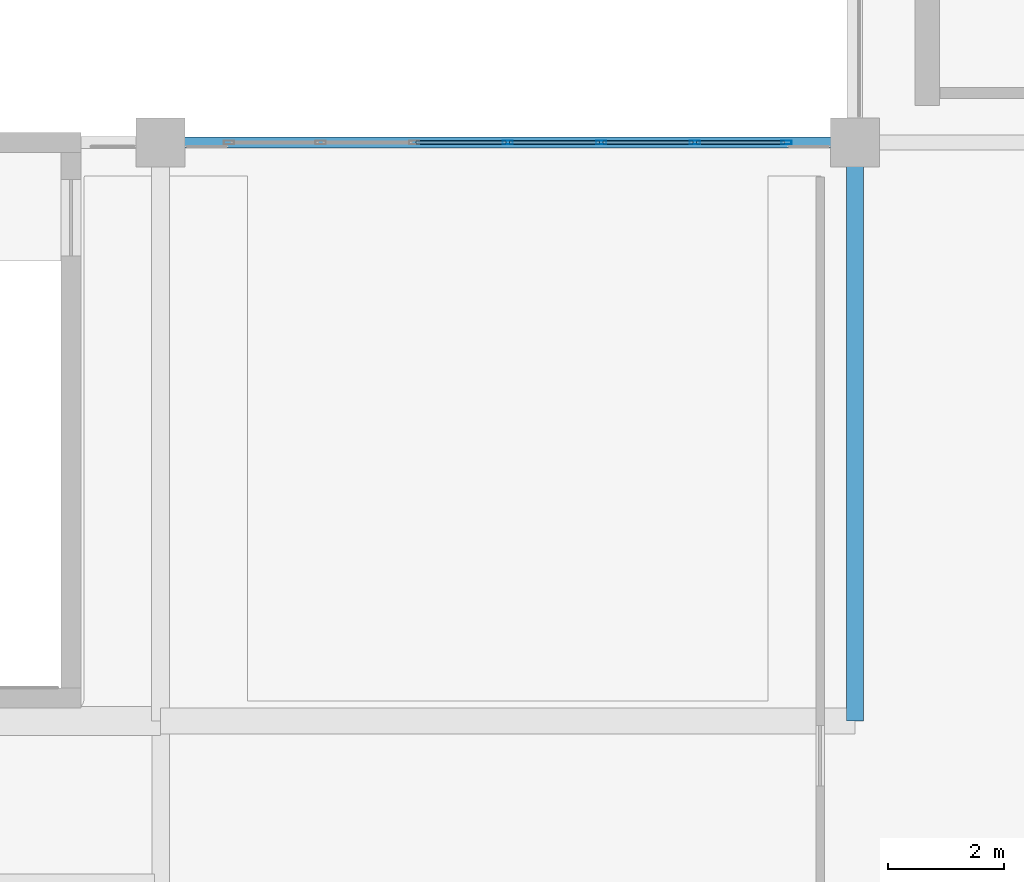
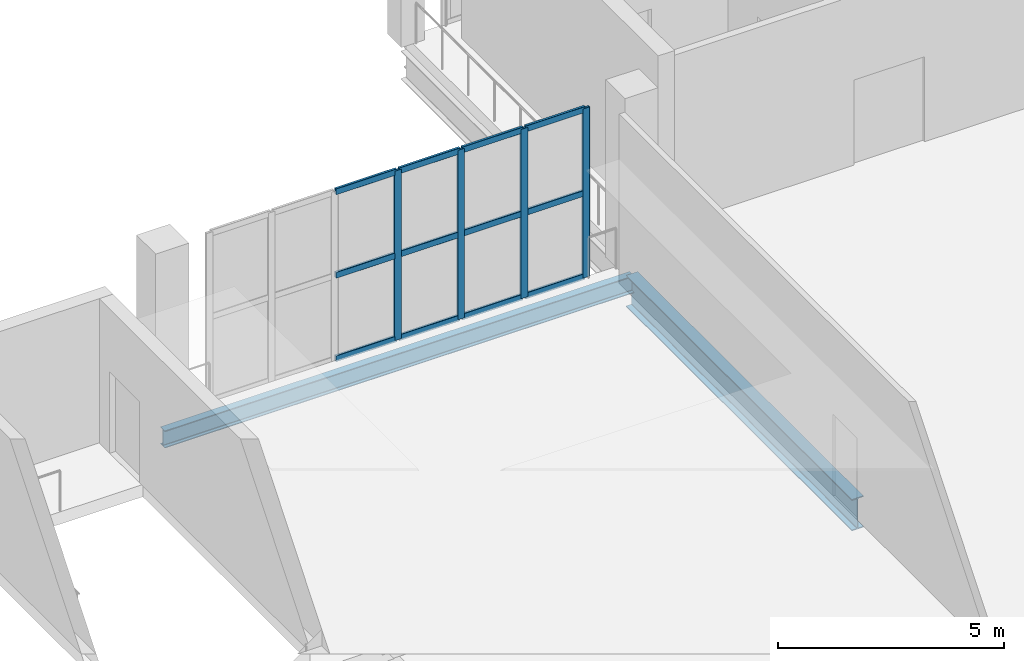
# One storey, part 27 of 49: 16 members, 2 beams, 1 element without a shape of its own.
"""IFC4 building model written with IfcOpenShell, lengths in metres."""

import ifcopenshell
import ifcopenshell.guid

model = None  # the IFC model being written
_history = None  # IfcOwnerHistory: only IFC2X3 demands one
_inside = {}  # id of a spatial element -> (the spatial element, [elements in it])
_under = {}  # id of a project, library or spatial element -> (it, [spatial elements below it])
_declared = {}  # id of a project -> (the project, [libraries it declares])
_typed = {}  # id of a type object -> (the type object, [elements of that type])
_made_of = {}  # id of a material, layer set ... -> (it, [elements and type objects made of it])


def new_model(schema):
    """Start an empty IFC model of exactly this schema.

    Asked for "IFC4X3", IfcOpenShell would pick the latest addendum, in which some entities
    have other attributes; the version numbers below select the first issue.
    IFC2X3 requires an IfcOwnerHistory on every rooted entity: one is made here for all.
    """
    global model, _history
    if schema == "IFC4X3":
        model = ifcopenshell.file(schema_version=(4, 3, 0, 0))
    else:
        model = ifcopenshell.file(schema=schema)
    _inside.clear()
    _under.clear()
    _declared.clear()
    _typed.clear()
    _made_of.clear()
    _history = None
    if model.schema == "IFC2X3":
        org = make("IfcOrganization", Name="unknown")
        user = make(
            "IfcPersonAndOrganization",
            ThePerson=make("IfcPerson", FamilyName="unknown"),
            TheOrganization=org,
        )
        app = make(
            "IfcApplication",
            ApplicationDeveloper=org,
            Version="unknown",
            ApplicationFullName="unknown",
            ApplicationIdentifier="unknown",
        )
        _history = make(
            "IfcOwnerHistory",
            OwningUser=user,
            OwningApplication=app,
            ChangeAction="ADDED",
            CreationDate=0,
        )
    return model


def make(cls, **values):
    """One entity of the class cls with the attributes given. An attribute that is None is left unset."""
    return model.create_entity(
        cls, **{name: value for name, value in values.items() if value is not None}
    )


def rooted(cls, **values):
    """An entity with a GlobalId (a new one), such as an element, a storey or a relation."""
    return make(cls, GlobalId=ifcopenshell.guid.new(), OwnerHistory=_history, **values)


def si_unit(unit_type, name, prefix=None):
    """IfcSIUnit, for example si_unit("LENGTHUNIT", "METRE", prefix="MILLI")."""
    return make("IfcSIUnit", UnitType=unit_type, Prefix=prefix, Name=name)


def assignment(units):
    """IfcUnitAssignment: the units of a project."""
    return None if units is None else make("IfcUnitAssignment", Units=units)


def point(xyz):
    """IfcCartesianPoint."""
    return None if xyz is None else make("IfcCartesianPoint", Coordinates=xyz)


def direction(xyz):
    """IfcDirection."""
    return None if xyz is None else make("IfcDirection", DirectionRatios=xyz)


def frame(location, z_axis=None, x_axis=None):
    """IfcAxis2Placement3D, a coordinate frame: its origin and axes. An axis left out is left unset."""
    return make(
        "IfcAxis2Placement3D",
        Location=point(location),
        Axis=direction(z_axis),
        RefDirection=direction(x_axis),
    )


def frame_2d(location, x_axis=None):
    """IfcAxis2Placement2D, a coordinate frame in the plane: its origin and x axis."""
    return make(
        "IfcAxis2Placement2D", Location=point(location), RefDirection=direction(x_axis)
    )


def origin():
    """The frame at (0, 0, 0) with its axes left unset."""
    return frame((0.0, 0.0, 0.0))


def origin_2d():
    """The frame at (0, 0) in the plane with its x axis left unset."""
    return frame_2d((0.0, 0.0))


def place(relative_to, where):
    """IfcLocalPlacement: puts the frame where relative to a parent placement (None: the world)."""
    return make(
        "IfcLocalPlacement", PlacementRelTo=relative_to, RelativePlacement=where
    )


def context(
    kind, dimensions, precision=None, world=None, true_north=None, identifier=None
):
    """IfcGeometricRepresentationContext, for example the 3D "Model" context."""
    return make(
        "IfcGeometricRepresentationContext",
        ContextIdentifier=identifier,
        ContextType=kind,
        CoordinateSpaceDimension=dimensions,
        Precision=precision,
        WorldCoordinateSystem=world,
        TrueNorth=true_north,
    )


def subcontext(parent, identifier, kind, view, scale=None):
    """IfcGeometricRepresentationSubContext, for example "Body" below "Model"."""
    return make(
        "IfcGeometricRepresentationSubContext",
        ContextIdentifier=identifier,
        ContextType=kind,
        ParentContext=parent,
        TargetScale=scale,
        TargetView=view,
    )


def project(units=None, contexts=None):
    """IfcProject with its units and contexts."""
    return rooted(
        "IfcProject",
        Name="project",
        RepresentationContexts=contexts,
        UnitsInContext=assignment(units),
    )


def spatial(cls, under=None, at=None, **own):
    """A site, building, storey or space (cls), placed at a placement, below another one or the project."""
    s = rooted(cls, ObjectPlacement=at, **own)
    if under is not None:
        _under.setdefault(under.id(), (under, []))[1].append(s)
    return s


def profile(cls, at=None, kind="AREA", **sizes):
    """A parametric profile (cls). Its sizes go by their IFC names, for example OverallWidth=200.0."""
    return make(cls, ProfileType=kind, Position=at, **sizes)


def hollow_rectangle(**sizes):
    """IfcRectangleHollowProfileDef."""
    return profile("IfcRectangleHollowProfileDef", **sizes)


def i_section(**sizes):
    """IfcIShapeProfileDef."""
    return profile("IfcIShapeProfileDef", **sizes)


def extrude(swept, where, along, depth):
    """IfcExtrudedAreaSolid: the profile swept, set in the frame where, extruded along a direction by depth."""
    return make(
        "IfcExtrudedAreaSolid",
        SweptArea=swept,
        Position=where,
        ExtrudedDirection=direction(along),
        Depth=depth,
    )


def shape(context_of_items, identifier, shape_type, items):
    """IfcShapeRepresentation: the items that make up one representation, for example the "Body"."""
    return make(
        "IfcShapeRepresentation",
        ContextOfItems=context_of_items,
        RepresentationIdentifier=identifier,
        RepresentationType=shape_type,
        Items=items,
    )


def material(Name=None, Category=None):
    """IfcMaterial."""
    return make("IfcMaterial", Name=Name, Category=Category)


def layer(
    of_material, thickness, ventilated=None, Name=None, Category=None, Priority=None
):
    """IfcMaterialLayer: one layer of a wall or slab, of a material (None: an air gap)."""
    return make(
        "IfcMaterialLayer",
        Material=of_material,
        LayerThickness=thickness,
        IsVentilated=ventilated,
        Name=Name,
        Category=Category,
        Priority=Priority,
    )


def layer_set(layers, Name=None):
    """IfcMaterialLayerSet."""
    return make("IfcMaterialLayerSet", MaterialLayers=layers, LayerSetName=Name)


def material_profile(
    of_material, cross_section, Name=None, Category=None, Priority=None
):
    """IfcMaterialProfile: a cross section and its material."""
    return make(
        "IfcMaterialProfile",
        Name=Name,
        Material=of_material,
        Profile=cross_section,
        Priority=Priority,
        Category=Category,
    )


def profile_set(profiles, Name=None, composite=None):
    """IfcMaterialProfileSet."""
    return make(
        "IfcMaterialProfileSet",
        Name=Name,
        MaterialProfiles=profiles,
        CompositeProfile=composite,
    )


def made_of(thing, what):
    """Note that an element or type object is made of a material, layer set ...; save() writes the relation."""
    if what is not None:
        _made_of.setdefault(what.id(), (what, []))[1].append(thing)
    return thing


def type_object(cls, material=None, **own):
    """A type object (cls), such as IfcWallType, which elements share."""
    return made_of(rooted(cls, **own), material)


def element(
    cls,
    number,
    at=None,
    inside=None,
    cuts=None,
    type_object=None,
    material=None,
    context=None,
    identifier="Body",
    shape_type=None,
    held_by="IfcProductDefinitionShape",
    body=None,
    shapes=None,
    **own,
):
    """One element of the class cls, such as IfcWall. Its Tag is "e" and its number.

    at: its placement. inside: the storey or other place that contains it. cuts: it is an
    opening in that element (IfcRelVoidsElement). A single representation is given by context,
    identifier, shape_type and body (its items); several are given by shapes. held_by: the class
    of the entity that holds the representations. save() writes the other relations.
    """
    e = rooted(cls, Tag="e%d" % number, ObjectPlacement=at, **own)
    if body is not None:
        shapes = [shape(context, identifier, shape_type, body)]
    if shapes is not None:
        e.Representation = make(held_by, Representations=shapes)
    if inside is not None:
        _inside.setdefault(inside.id(), (inside, []))[1].append(e)
    if cuts is not None:
        rooted(
            "IfcRelVoidsElement", RelatingBuildingElement=cuts, RelatedOpeningElement=e
        )
    if type_object is not None:
        _typed.setdefault(type_object.id(), (type_object, []))[1].append(e)
    return made_of(e, material)


def aggregate(whole, parts):
    """IfcRelAggregates: a whole, such as a stair, and the parts it consists of."""
    return rooted("IfcRelAggregates", RelatingObject=whole, RelatedObjects=parts)


def save(model, path):
    """Write the relations noted so far, then the file.

    IfcRelAggregates (storeys below a building ...), IfcRelContainedInSpatialStructure (elements
    in a storey), IfcRelDefinesByType, IfcRelAssociatesMaterial and IfcRelDeclares: one each for
    every whole, place, type object, material and project.
    """
    for whole, parts in _under.values():
        aggregate(whole, parts)
    for where, things in _inside.values():
        rooted(
            "IfcRelContainedInSpatialStructure",
            RelatedElements=things,
            RelatingStructure=where,
        )
    for kind, things in _typed.values():
        rooted("IfcRelDefinesByType", RelatedObjects=things, RelatingType=kind)
    for what, things in _made_of.values():
        rooted("IfcRelAssociatesMaterial", RelatedObjects=things, RelatingMaterial=what)
    for by, libraries in _declared.values():
        rooted("IfcRelDeclares", RelatingContext=by, RelatedDefinitions=libraries)
    model.write(path)


model = new_model("IFC4")

# Units and contexts
model_context = context("Model", 3, precision=1e-05, world=origin(), true_north=direction((0.0, 1.0)))
body_context = subcontext(model_context, "Body", "Model", "MODEL_VIEW")
ifc_project = project(units=[si_unit("LENGTHUNIT", "METRE"), si_unit("AREAUNIT", "SQUARE_METRE"), si_unit("VOLUMEUNIT", "CUBIC_METRE"), si_unit("PLANEANGLEUNIT", "RADIAN"), si_unit("MASSUNIT", "GRAM", prefix="KILO")], contexts=[model_context])

# Site, building, storey
site_placement = place(None, origin())
site = spatial("IfcSite", under=ifc_project, at=site_placement, CompositionType="ELEMENT")
building_placement = place(site_placement, origin())
building = spatial("IfcBuilding", under=site, at=building_placement, Name="Brinegate Civic Arena", CompositionType="ELEMENT")
storey_placement = place(building_placement, frame((0.0, 0.0, 24.60009765625)))
storey = spatial("IfcBuildingStorey", under=building, at=storey_placement, Name="L05", CompositionType="ELEMENT", Elevation=24.60009765625)

# Curtain wall, members
ifc_material_1 = material(Name="Marine grade aluminium", Category="aluminium")
ifc_layer = layer(ifc_material_1, 0.199951171875, Name="Marine grade aluminium")
ifc_layer_set = layer_set([ifc_layer], Name="Marine grade aluminium")
curtain_wall_type = type_object("IfcCurtainWallType", Name="CW-BOWL-GLAZED-01", PredefinedType="USERDEFINED", material=ifc_layer_set)
curtain_wall_placement = place(storey_placement, origin())
curtain_wall = element("IfcCurtainWall", 1, at=curtain_wall_placement, inside=storey, type_object=curtain_wall_type, Name="Curtain Wall CWA-170", ObjectType="GLAZED CURTAIN WALL", PredefinedType="USERDEFINED")
ifc_material_profile_1 = material_profile(ifc_material_1, hollow_rectangle(XDim=0.06494140625, YDim=0.179931640625, WallThickness=0.0048828125, InnerFilletRadius=0.00390625, OuterFilletRadius=0.008056640625, at=origin_2d()), Name="MUL65X180")
ifc_profile_set_1 = profile_set([ifc_material_profile_1], Name="Marine grade aluminium")
member_type_1 = type_object("IfcMemberType", Name="CW-MULLION-65X180", PredefinedType="MULLION", material=ifc_profile_set_1)
member_1_placement = place(storey_placement, frame((78.0, 114.0, 0.0), z_axis=(0.0, 0.0, 1.0), x_axis=(0.0, 1.0, 0.0)))
member_1 = element("IfcMember", 2, at=member_1_placement, type_object=member_type_1, Name="CWA-170 mullion 4", PredefinedType="MULLION", context=body_context, shape_type="SweptSolid", body=[
    extrude(hollow_rectangle(XDim=0.06494140625, YDim=0.179931640625, WallThickness=0.0048828125, InnerFilletRadius=0.00390625, OuterFilletRadius=0.008056640625, at=origin_2d()), origin(), (0.0, 0.0, 1.0), 4.579833984375),
])
member_2_placement = place(storey_placement, frame((79.616455078125, 114.0, 0.0), z_axis=(0.0, 0.0, 1.0), x_axis=(0.0, 1.0, 0.0)))
member_2 = element("IfcMember", 3, at=member_2_placement, type_object=member_type_1, Name="CWA-170 mullion 5", PredefinedType="MULLION", context=body_context, shape_type="SweptSolid", body=[
    extrude(hollow_rectangle(XDim=0.06494140625, YDim=0.179931640625, WallThickness=0.0048828125, InnerFilletRadius=0.00390625, OuterFilletRadius=0.008056640625, at=origin_2d()), origin(), (0.0, 0.0, 1.0), 4.579833984375),
])
member_3_placement = place(storey_placement, frame((81.232666015625, 114.0, 0.0), z_axis=(0.0, 0.0, 1.0), x_axis=(0.0, 1.0, 0.0)))
member_3 = element("IfcMember", 4, at=member_3_placement, type_object=member_type_1, Name="CWA-170 mullion 6", PredefinedType="MULLION", context=body_context, shape_type="SweptSolid", body=[
    extrude(hollow_rectangle(XDim=0.06494140625, YDim=0.179931640625, WallThickness=0.0048828125, InnerFilletRadius=0.00390625, OuterFilletRadius=0.008056640625, at=origin_2d()), origin(), (0.0, 0.0, 1.0), 4.579833984375),
])
member_4_placement = place(storey_placement, frame((82.81640625, 114.0, 0.0), z_axis=(0.0, 0.0, 1.0), x_axis=(0.0, 1.0, 0.0)))
member_4 = element("IfcMember", 5, at=member_4_placement, type_object=member_type_1, Name="CWA-170 mullion 7", PredefinedType="MULLION", context=body_context, shape_type="SweptSolid", body=[
    extrude(hollow_rectangle(XDim=0.06494140625, YDim=0.179931640625, WallThickness=0.0048828125, InnerFilletRadius=0.00390625, OuterFilletRadius=0.008056640625, at=origin_2d()), origin(), (0.0, 0.0, 1.0), 4.579833984375),
])
ifc_material_profile_2 = material_profile(ifc_material_1, hollow_rectangle(XDim=0.06494140625, YDim=0.1650390625, WallThickness=0.0048828125, InnerFilletRadius=0.00390625, OuterFilletRadius=0.008056640625, at=origin_2d()), Name="TRN65X165")
ifc_profile_set_2 = profile_set([ifc_material_profile_2], Name="Marine grade aluminium")
member_type_2 = type_object("IfcMemberType", Name="CW-TRANSOM-65X165", PredefinedType="USERDEFINED", material=ifc_profile_set_2)
member_5_placement = place(storey_placement, frame((76.416259765625, 114.0, 0.032470703125), z_axis=(1.0, 0.0, 0.0), x_axis=(0.0, 1.0, 0.0)))
member_5 = element("IfcMember", 6, at=member_5_placement, type_object=member_type_2, Name="CWA-170 transom 3.1", ObjectType="TRANSOM", PredefinedType="USERDEFINED", context=body_context, shape_type="SweptSolid", body=[
    extrude(hollow_rectangle(XDim=0.06494140625, YDim=0.1650390625, WallThickness=0.0048828125, InnerFilletRadius=0.00390625, OuterFilletRadius=0.008056640625, at=origin_2d()), origin(), (0.0, 0.0, 1.0), 1.55126953125),
])
member_6_placement = place(storey_placement, frame((76.416259765625, 114.0, 2.289794921875), z_axis=(1.0, 0.0, 0.0), x_axis=(0.0, 1.0, 0.0)))
member_6 = element("IfcMember", 7, at=member_6_placement, type_object=member_type_2, Name="CWA-170 transom 3.2", ObjectType="TRANSOM", PredefinedType="USERDEFINED", context=body_context, shape_type="SweptSolid", body=[
    extrude(hollow_rectangle(XDim=0.06494140625, YDim=0.1650390625, WallThickness=0.0048828125, InnerFilletRadius=0.00390625, OuterFilletRadius=0.008056640625, at=origin_2d()), origin(), (0.0, 0.0, 1.0), 1.55126953125),
])
member_7_placement = place(storey_placement, frame((76.416259765625, 114.0, 4.54736328125), z_axis=(1.0, 0.0, 0.0), x_axis=(0.0, 1.0, 0.0)))
member_7 = element("IfcMember", 8, at=member_7_placement, type_object=member_type_2, Name="CWA-170 transom 3.3", ObjectType="TRANSOM", PredefinedType="USERDEFINED", context=body_context, shape_type="SweptSolid", body=[
    extrude(hollow_rectangle(XDim=0.06494140625, YDim=0.1650390625, WallThickness=0.0048828125, InnerFilletRadius=0.00390625, OuterFilletRadius=0.008056640625, at=origin_2d()), origin(), (0.0, 0.0, 1.0), 1.55126953125),
])
member_8_placement = place(storey_placement, frame((78.032470703125, 114.0, 0.032470703125), z_axis=(1.0, 0.0, 0.0), x_axis=(0.0, 1.0, 0.0)))
member_8 = element("IfcMember", 9, at=member_8_placement, type_object=member_type_2, Name="CWA-170 transom 4.1", ObjectType="TRANSOM", PredefinedType="USERDEFINED", context=body_context, shape_type="SweptSolid", body=[
    extrude(hollow_rectangle(XDim=0.06494140625, YDim=0.1650390625, WallThickness=0.0048828125, InnerFilletRadius=0.00390625, OuterFilletRadius=0.008056640625, at=origin_2d()), origin(), (0.0, 0.0, 1.0), 1.55126953125),
])
member_9_placement = place(storey_placement, frame((78.032470703125, 114.0, 2.289794921875), z_axis=(1.0, 0.0, 0.0), x_axis=(0.0, 1.0, 0.0)))
member_9 = element("IfcMember", 10, at=member_9_placement, type_object=member_type_2, Name="CWA-170 transom 4.2", ObjectType="TRANSOM", PredefinedType="USERDEFINED", context=body_context, shape_type="SweptSolid", body=[
    extrude(hollow_rectangle(XDim=0.06494140625, YDim=0.1650390625, WallThickness=0.0048828125, InnerFilletRadius=0.00390625, OuterFilletRadius=0.008056640625, at=origin_2d()), origin(), (0.0, 0.0, 1.0), 1.55126953125),
])
member_10_placement = place(storey_placement, frame((78.032470703125, 114.0, 4.54736328125), z_axis=(1.0, 0.0, 0.0), x_axis=(0.0, 1.0, 0.0)))
member_10 = element("IfcMember", 11, at=member_10_placement, type_object=member_type_2, Name="CWA-170 transom 4.3", ObjectType="TRANSOM", PredefinedType="USERDEFINED", context=body_context, shape_type="SweptSolid", body=[
    extrude(hollow_rectangle(XDim=0.06494140625, YDim=0.1650390625, WallThickness=0.0048828125, InnerFilletRadius=0.00390625, OuterFilletRadius=0.008056640625, at=origin_2d()), origin(), (0.0, 0.0, 1.0), 1.55126953125),
])
member_11_placement = place(storey_placement, frame((79.64892578125, 114.0, 0.032470703125), z_axis=(1.0, 0.0, 0.0), x_axis=(0.0, 1.0, 0.0)))
member_11 = element("IfcMember", 12, at=member_11_placement, type_object=member_type_2, Name="CWA-170 transom 5.1", ObjectType="TRANSOM", PredefinedType="USERDEFINED", context=body_context, shape_type="SweptSolid", body=[
    extrude(hollow_rectangle(XDim=0.06494140625, YDim=0.1650390625, WallThickness=0.0048828125, InnerFilletRadius=0.00390625, OuterFilletRadius=0.008056640625, at=origin_2d()), origin(), (0.0, 0.0, 1.0), 1.55126953125),
])
member_12_placement = place(storey_placement, frame((79.64892578125, 114.0, 2.289794921875), z_axis=(1.0, 0.0, 0.0), x_axis=(0.0, 1.0, 0.0)))
member_12 = element("IfcMember", 13, at=member_12_placement, type_object=member_type_2, Name="CWA-170 transom 5.2", ObjectType="TRANSOM", PredefinedType="USERDEFINED", context=body_context, shape_type="SweptSolid", body=[
    extrude(hollow_rectangle(XDim=0.06494140625, YDim=0.1650390625, WallThickness=0.0048828125, InnerFilletRadius=0.00390625, OuterFilletRadius=0.008056640625, at=origin_2d()), origin(), (0.0, 0.0, 1.0), 1.55126953125),
])
member_13_placement = place(storey_placement, frame((79.64892578125, 114.0, 4.54736328125), z_axis=(1.0, 0.0, 0.0), x_axis=(0.0, 1.0, 0.0)))
member_13 = element("IfcMember", 14, at=member_13_placement, type_object=member_type_2, Name="CWA-170 transom 5.3", ObjectType="TRANSOM", PredefinedType="USERDEFINED", context=body_context, shape_type="SweptSolid", body=[
    extrude(hollow_rectangle(XDim=0.06494140625, YDim=0.1650390625, WallThickness=0.0048828125, InnerFilletRadius=0.00390625, OuterFilletRadius=0.008056640625, at=origin_2d()), origin(), (0.0, 0.0, 1.0), 1.55126953125),
])
member_14_placement = place(storey_placement, frame((81.26513671875, 114.0, 0.032470703125), z_axis=(1.0, 0.0, 0.0), x_axis=(0.0, 1.0, 0.0)))
member_14 = element("IfcMember", 15, at=member_14_placement, type_object=member_type_2, Name="CWA-170 transom 6.1", ObjectType="TRANSOM", PredefinedType="USERDEFINED", context=body_context, shape_type="SweptSolid", body=[
    extrude(hollow_rectangle(XDim=0.06494140625, YDim=0.1650390625, WallThickness=0.0048828125, InnerFilletRadius=0.00390625, OuterFilletRadius=0.008056640625, at=origin_2d()), origin(), (0.0, 0.0, 1.0), 1.518798828125),
])
member_15_placement = place(storey_placement, frame((81.26513671875, 114.0, 2.289794921875), z_axis=(1.0, 0.0, 0.0), x_axis=(0.0, 1.0, 0.0)))
member_15 = element("IfcMember", 16, at=member_15_placement, type_object=member_type_2, Name="CWA-170 transom 6.2", ObjectType="TRANSOM", PredefinedType="USERDEFINED", context=body_context, shape_type="SweptSolid", body=[
    extrude(hollow_rectangle(XDim=0.06494140625, YDim=0.1650390625, WallThickness=0.0048828125, InnerFilletRadius=0.00390625, OuterFilletRadius=0.008056640625, at=origin_2d()), origin(), (0.0, 0.0, 1.0), 1.518798828125),
])
member_16_placement = place(storey_placement, frame((81.26513671875, 114.0, 4.54736328125), z_axis=(1.0, 0.0, 0.0), x_axis=(0.0, 1.0, 0.0)))
member_16 = element("IfcMember", 17, at=member_16_placement, type_object=member_type_2, Name="CWA-170 transom 6.3", ObjectType="TRANSOM", PredefinedType="USERDEFINED", context=body_context, shape_type="SweptSolid", body=[
    extrude(hollow_rectangle(XDim=0.06494140625, YDim=0.1650390625, WallThickness=0.0048828125, InnerFilletRadius=0.00390625, OuterFilletRadius=0.008056640625, at=origin_2d()), origin(), (0.0, 0.0, 1.0), 1.518798828125),
])
aggregate(curtain_wall, [member_1, member_2, member_3, member_4, member_5, member_6, member_7, member_8, member_9, member_10, member_11, member_12, member_13, member_14, member_15, member_16])

# Beams
ifc_material_2 = material(Name="Steel S355", Category="steel")
ifc_material_profile_3 = material_profile(ifc_material_2, i_section(OverallWidth=0.2939453125, OverallDepth=0.85107421875, WebThickness=0.01611328125, FlangeThickness=0.027099609375, FilletRadius=0.02197265625, at=origin_2d()), Name="W840X226")
ifc_profile_set_3 = profile_set([ifc_material_profile_3], Name="Steel S355")
beam_type_1 = type_object("IfcBeamType", Name="GIRDER-W840X226", PredefinedType="BEAM", material=ifc_profile_set_3)
beam_1_placement = place(storey_placement, frame((84.0, 104.0, -0.755126953125), z_axis=(0.0, 1.0, 0.0), x_axis=(-1.0, 0.0, 0.0)))
element("IfcBeam", 18, at=beam_1_placement, inside=storey, type_object=beam_type_1, Name="Floor Girder BM-L05-GY-07-10", PredefinedType="BEAM", context=body_context, shape_type="SweptSolid", body=[
    extrude(i_section(OverallWidth=0.2939453125, OverallDepth=0.85107421875, WebThickness=0.01611328125, FlangeThickness=0.027099609375, FilletRadius=0.02197265625, at=origin_2d()), origin(), (0.0, 0.0, 1.0), 10.0),
])
ifc_material_profile_4 = material_profile(ifc_material_2, i_section(OverallWidth=0.193115234375, OverallDepth=0.466064453125, WebThickness=0.010986328125, FlangeThickness=0.01904296875, FilletRadius=0.014892578125, at=origin_2d()), Name="W460X97")
ifc_profile_set_4 = profile_set([ifc_material_profile_4], Name="Steel S355")
beam_type_2 = type_object("IfcBeamType", Name="SPANDREL-W460X97", PredefinedType="SPANDREL", material=ifc_profile_set_4)
beam_2_placement = place(storey_placement, frame((72.0, 114.0, -0.56298828125), z_axis=(1.0, 0.0, 0.0), x_axis=(0.0, 1.0, 0.0)))
element("IfcBeam", 19, at=beam_2_placement, inside=storey, type_object=beam_type_2, Name="Floor Girder BM-L05-GX-06-11", PredefinedType="SPANDREL", context=body_context, shape_type="SweptSolid", body=[
    extrude(i_section(OverallWidth=0.193115234375, OverallDepth=0.466064453125, WebThickness=0.010986328125, FlangeThickness=0.01904296875, FilletRadius=0.014892578125, at=origin_2d()), origin(), (0.0, 0.0, 1.0), 12.0),
])

save(model, "model.ifc")
